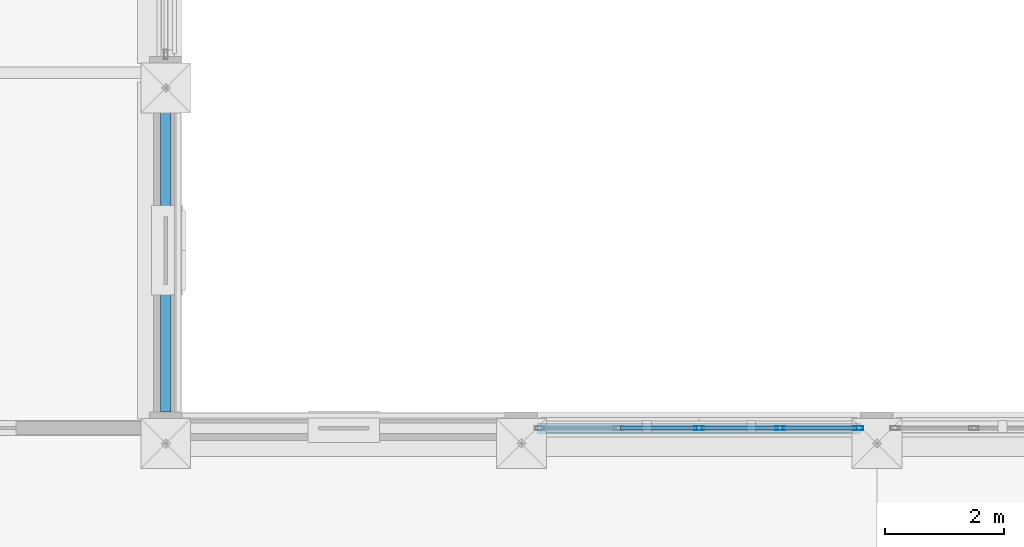
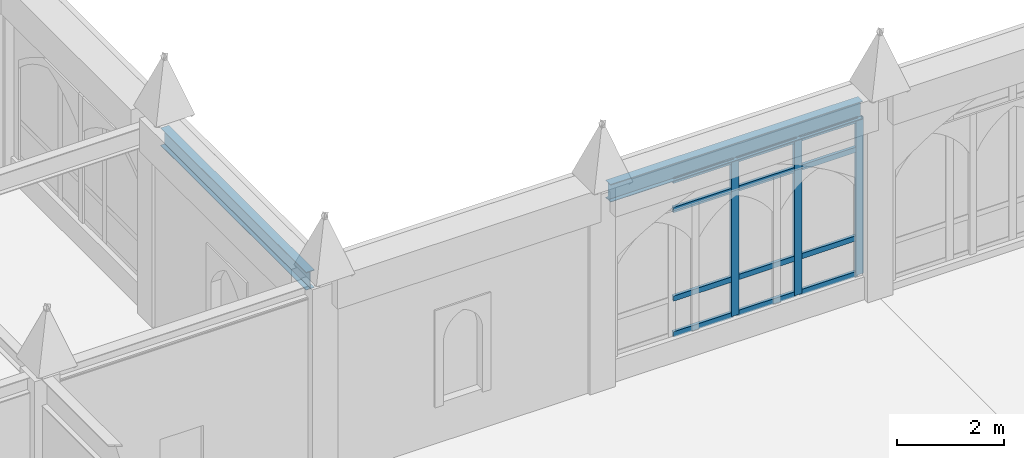
# One storey, part 56 of 108: 15 members, 2 beams, 1 element without a shape of its own.
"""IFC4 building model written with IfcOpenShell, lengths in metres."""

from ifc_helpers import new_model, si_unit, direction, frame, origin, origin_2d, place, context, subcontext, project, spatial, hollow_rectangle, i_section, extrude, material, layer, layer_set, material_profile, profile_set, type_object, element, aggregate, save


model = new_model("IFC4")

# Units and contexts
model_context = context("Model", 3, precision=1e-05, world=origin(), true_north=direction((0.0, 1.0)))
body_context = subcontext(model_context, "Body", "Model", "MODEL_VIEW")
ifc_project = project(units=[si_unit("LENGTHUNIT", "METRE"), si_unit("AREAUNIT", "SQUARE_METRE"), si_unit("VOLUMEUNIT", "CUBIC_METRE"), si_unit("PLANEANGLEUNIT", "RADIAN"), si_unit("MASSUNIT", "GRAM", prefix="KILO")], contexts=[model_context])

# Site, building, storey
site_placement = place(None, origin())
site = spatial("IfcSite", under=ifc_project, at=site_placement, CompositionType="ELEMENT")
building_placement = place(site_placement, origin())
building = spatial("IfcBuilding", under=site, at=building_placement, Name="Cumevento Cable Car Station", CompositionType="ELEMENT")
storey_placement = place(building_placement, frame((0.0, 0.0, 13.5)))
storey = spatial("IfcBuildingStorey", under=building, at=storey_placement, Name="L04", CompositionType="ELEMENT", Elevation=13.5)

# Curtain wall, members
ifc_material_1 = material(Name="Anodised Bronze Aluminium AW-6063-T6", Category="aluminium")
ifc_layer = layer(ifc_material_1, 0.201904296875)
ifc_layer_set = layer_set([ifc_layer], Name="Anodised Bronze Aluminium AW-6063-T6")
curtain_wall_type = type_object("IfcCurtainWallType", Name="Lancet Curtain Wall CW-08 1330", PredefinedType="NOTDEFINED", material=ifc_layer_set)
curtain_wall_placement = place(storey_placement, origin())
curtain_wall = element("IfcCurtainWall", 1, at=curtain_wall_placement, inside=storey, type_object=curtain_wall_type, Name="Lancet Curtain Wall CW-08 L04 #183", PredefinedType="NOTDEFINED")
ifc_material_2 = material(Name="Anodised Bronze Aluminium AW-6063-T6", Category="aluminium")
ifc_material_profile_1 = material_profile(ifc_material_2, hollow_rectangle(XDim=0.06494140625, YDim=0.159912109375, WallThickness=0.00390625, at=origin_2d()), Name="ALUM65x160x4")
ifc_profile_set_1 = profile_set([ifc_material_profile_1], Name="Anodised Bronze Aluminium AW-6063-T6")
member_type_1 = type_object("IfcMemberType", Name="Curtain Mullion CWM-01 ALUM65x160x4", PredefinedType="MULLION", material=ifc_profile_set_1)
member_1_placement = place(storey_placement, frame((151.0, 45.0, 0.52001953125), z_axis=(0.0, 0.0, 1.0), x_axis=(0.0, 1.0, 0.0)))
member_1 = element("IfcMember", 2, at=member_1_placement, type_object=member_type_1, Name="CW-08 mullion 3", PredefinedType="MULLION", context=body_context, shape_type="SweptSolid", body=[
    extrude(hollow_rectangle(XDim=0.06494140625, YDim=0.159912109375, WallThickness=0.00390625, at=origin_2d()), origin(), (0.0, 0.0, 1.0), 3.572998046875),
])
member_2_placement = place(storey_placement, frame((152.362548828125, 45.0, 0.52001953125), z_axis=(0.0, 0.0, 1.0), x_axis=(0.0, 1.0, 0.0)))
member_2 = element("IfcMember", 3, at=member_2_placement, type_object=member_type_1, Name="CW-08 mullion 4", PredefinedType="MULLION", context=body_context, shape_type="SweptSolid", body=[
    extrude(hollow_rectangle(XDim=0.06494140625, YDim=0.159912109375, WallThickness=0.00390625, at=origin_2d()), origin(), (0.0, 0.0, 1.0), 3.572998046875),
])
member_3_placement = place(storey_placement, frame((153.6923828125, 45.0, 0.52001953125), z_axis=(0.0, 0.0, 1.0), x_axis=(0.0, 1.0, 0.0)))
member_3 = element("IfcMember", 4, at=member_3_placement, type_object=member_type_1, Name="CW-08 mullion 5", PredefinedType="MULLION", context=body_context, shape_type="SweptSolid", body=[
    extrude(hollow_rectangle(XDim=0.06494140625, YDim=0.159912109375, WallThickness=0.00390625, at=origin_2d()), origin(), (0.0, 0.0, 1.0), 3.572998046875),
])
ifc_material_3 = material(Name="Anodised Bronze Aluminium AW-6063-T6", Category="aluminium")
ifc_material_profile_2 = material_profile(ifc_material_3, hollow_rectangle(XDim=0.06494140625, YDim=0.1201171875, WallThickness=0.00390625, at=origin_2d()), Name="ALUT65x120x4")
ifc_profile_set_2 = profile_set([ifc_material_profile_2], Name="Anodised Bronze Aluminium AW-6063-T6")
member_type_2 = type_object("IfcMemberType", Name="Curtain Transom CWT-01 ALUT65x120x4", PredefinedType="USERDEFINED", material=ifc_profile_set_2)
member_4_placement = place(storey_placement, frame((149.669921875, 45.0, 0.552490234375), z_axis=(1.0, 0.0, 0.0), x_axis=(0.0, 1.0, 0.0)))
member_4 = element("IfcMember", 5, at=member_4_placement, type_object=member_type_2, Name="CW-08 transom 2.1", ObjectType="TRANSOM", PredefinedType="USERDEFINED", context=body_context, shape_type="SweptSolid", body=[
    extrude(hollow_rectangle(XDim=0.06494140625, YDim=0.1201171875, WallThickness=0.00390625, at=origin_2d()), origin(), (0.0, 0.0, 1.0), 1.297607421875),
])
member_5_placement = place(storey_placement, frame((149.669921875, 45.0, 1.3701171875), z_axis=(1.0, 0.0, 0.0), x_axis=(0.0, 1.0, 0.0)))
member_5 = element("IfcMember", 6, at=member_5_placement, type_object=member_type_2, Name="CW-08 transom 2.2", ObjectType="TRANSOM", PredefinedType="USERDEFINED", context=body_context, shape_type="SweptSolid", body=[
    extrude(hollow_rectangle(XDim=0.06494140625, YDim=0.1201171875, WallThickness=0.00390625, at=origin_2d()), origin(), (0.0, 0.0, 1.0), 1.297607421875),
])
member_6_placement = place(storey_placement, frame((149.669921875, 45.0, 3.39306640625), z_axis=(1.0, 0.0, 0.0), x_axis=(0.0, 1.0, 0.0)))
member_6 = element("IfcMember", 7, at=member_6_placement, type_object=member_type_2, Name="CW-08 transom 2.3", ObjectType="TRANSOM", PredefinedType="USERDEFINED", context=body_context, shape_type="SweptSolid", body=[
    extrude(hollow_rectangle(XDim=0.06494140625, YDim=0.1201171875, WallThickness=0.00390625, at=origin_2d()), origin(), (0.0, 0.0, 1.0), 1.297607421875),
])
member_7_placement = place(storey_placement, frame((149.669921875, 45.0, 4.060546875), z_axis=(1.0, 0.0, 0.0), x_axis=(0.0, 1.0, 0.0)))
member_7 = element("IfcMember", 8, at=member_7_placement, type_object=member_type_2, Name="CW-08 transom 2.4", ObjectType="TRANSOM", PredefinedType="USERDEFINED", context=body_context, shape_type="SweptSolid", body=[
    extrude(hollow_rectangle(XDim=0.06494140625, YDim=0.1201171875, WallThickness=0.00390625, at=origin_2d()), origin(), (0.0, 0.0, 1.0), 1.297607421875),
])
member_8_placement = place(storey_placement, frame((151.032470703125, 45.0, 0.552490234375), z_axis=(1.0, 0.0, 0.0), x_axis=(0.0, 1.0, 0.0)))
member_8 = element("IfcMember", 9, at=member_8_placement, type_object=member_type_2, Name="CW-08 transom 3.1", ObjectType="TRANSOM", PredefinedType="USERDEFINED", context=body_context, shape_type="SweptSolid", body=[
    extrude(hollow_rectangle(XDim=0.06494140625, YDim=0.1201171875, WallThickness=0.00390625, at=origin_2d()), origin(), (0.0, 0.0, 1.0), 1.297607421875),
])
member_9_placement = place(storey_placement, frame((151.032470703125, 45.0, 1.3701171875), z_axis=(1.0, 0.0, 0.0), x_axis=(0.0, 1.0, 0.0)))
member_9 = element("IfcMember", 10, at=member_9_placement, type_object=member_type_2, Name="CW-08 transom 3.2", ObjectType="TRANSOM", PredefinedType="USERDEFINED", context=body_context, shape_type="SweptSolid", body=[
    extrude(hollow_rectangle(XDim=0.06494140625, YDim=0.1201171875, WallThickness=0.00390625, at=origin_2d()), origin(), (0.0, 0.0, 1.0), 1.297607421875),
])
member_10_placement = place(storey_placement, frame((151.032470703125, 45.0, 3.39306640625), z_axis=(1.0, 0.0, 0.0), x_axis=(0.0, 1.0, 0.0)))
member_10 = element("IfcMember", 11, at=member_10_placement, type_object=member_type_2, Name="CW-08 transom 3.3", ObjectType="TRANSOM", PredefinedType="USERDEFINED", context=body_context, shape_type="SweptSolid", body=[
    extrude(hollow_rectangle(XDim=0.06494140625, YDim=0.1201171875, WallThickness=0.00390625, at=origin_2d()), origin(), (0.0, 0.0, 1.0), 1.297607421875),
])
member_11_placement = place(storey_placement, frame((151.032470703125, 45.0, 4.060546875), z_axis=(1.0, 0.0, 0.0), x_axis=(0.0, 1.0, 0.0)))
member_11 = element("IfcMember", 12, at=member_11_placement, type_object=member_type_2, Name="CW-08 transom 3.4", ObjectType="TRANSOM", PredefinedType="USERDEFINED", context=body_context, shape_type="SweptSolid", body=[
    extrude(hollow_rectangle(XDim=0.06494140625, YDim=0.1201171875, WallThickness=0.00390625, at=origin_2d()), origin(), (0.0, 0.0, 1.0), 1.297607421875),
])
member_12_placement = place(storey_placement, frame((152.39501953125, 45.0, 0.552490234375), z_axis=(1.0, 0.0, 0.0), x_axis=(0.0, 1.0, 0.0)))
member_12 = element("IfcMember", 13, at=member_12_placement, type_object=member_type_2, Name="CW-08 transom 4.1", ObjectType="TRANSOM", PredefinedType="USERDEFINED", context=body_context, shape_type="SweptSolid", body=[
    extrude(hollow_rectangle(XDim=0.06494140625, YDim=0.1201171875, WallThickness=0.00390625, at=origin_2d()), origin(), (0.0, 0.0, 1.0), 1.264892578125),
])
member_13_placement = place(storey_placement, frame((152.39501953125, 45.0, 1.3701171875), z_axis=(1.0, 0.0, 0.0), x_axis=(0.0, 1.0, 0.0)))
member_13 = element("IfcMember", 14, at=member_13_placement, type_object=member_type_2, Name="CW-08 transom 4.2", ObjectType="TRANSOM", PredefinedType="USERDEFINED", context=body_context, shape_type="SweptSolid", body=[
    extrude(hollow_rectangle(XDim=0.06494140625, YDim=0.1201171875, WallThickness=0.00390625, at=origin_2d()), origin(), (0.0, 0.0, 1.0), 1.264892578125),
])
member_14_placement = place(storey_placement, frame((152.39501953125, 45.0, 3.39306640625), z_axis=(1.0, 0.0, 0.0), x_axis=(0.0, 1.0, 0.0)))
member_14 = element("IfcMember", 15, at=member_14_placement, type_object=member_type_2, Name="CW-08 transom 4.3", ObjectType="TRANSOM", PredefinedType="USERDEFINED", context=body_context, shape_type="SweptSolid", body=[
    extrude(hollow_rectangle(XDim=0.06494140625, YDim=0.1201171875, WallThickness=0.00390625, at=origin_2d()), origin(), (0.0, 0.0, 1.0), 1.264892578125),
])
member_15_placement = place(storey_placement, frame((152.39501953125, 45.0, 4.060546875), z_axis=(1.0, 0.0, 0.0), x_axis=(0.0, 1.0, 0.0)))
member_15 = element("IfcMember", 16, at=member_15_placement, type_object=member_type_2, Name="CW-08 transom 4.4", ObjectType="TRANSOM", PredefinedType="USERDEFINED", context=body_context, shape_type="SweptSolid", body=[
    extrude(hollow_rectangle(XDim=0.06494140625, YDim=0.1201171875, WallThickness=0.00390625, at=origin_2d()), origin(), (0.0, 0.0, 1.0), 1.264892578125),
])
aggregate(curtain_wall, [member_1, member_2, member_3, member_4, member_5, member_6, member_7, member_8, member_9, member_10, member_11, member_12, member_13, member_14, member_15])

# Beams
ifc_material_4 = material(Name="Steel ASTM A572 Grade 50", Category="steel")
ifc_material_profile_3 = material_profile(ifc_material_4, i_section(OverallWidth=0.177978515625, OverallDepth=0.406982421875, WebThickness=0.0078125, FlangeThickness=0.0126953125, at=origin_2d()), Name="W410x60.0")
ifc_profile_set_3 = profile_set([ifc_material_profile_3], Name="Steel ASTM A572 Grade 50")
beam_type = type_object("IfcBeamType", Name="Structural Spandrel SP-01 W410x60.0", PredefinedType="SPANDREL", material=ifc_profile_set_3)
for number, where, z_axis, x_axis, name in (
    (17, (148.27490234375, 45.0, 4.29638671875), (1.0, 0.0, 0.0), (0.0, 1.0, 0.0), "Beam SP-01 L04 #1477"),
    (18, (142.0, 45.27490234375, 4.29638671875), (0.0, 1.0, 0.0), (-1.0, 0.0, 0.0), "Beam SP-01 L04 #1493"),
):
    element("IfcBeam", number, at=place(storey_placement, frame(where, z_axis=z_axis, x_axis=x_axis)), inside=storey, type_object=beam_type, Name=name, PredefinedType="SPANDREL", context=body_context, shape_type="SweptSolid", body=[
        extrude(i_section(OverallWidth=0.177978515625, OverallDepth=0.406982421875, WebThickness=0.0078125, FlangeThickness=0.0126953125, at=origin_2d()), origin(), (0.0, 0.0, 1.0), 5.4501953125),
    ])

save(model, "model.ifc")
